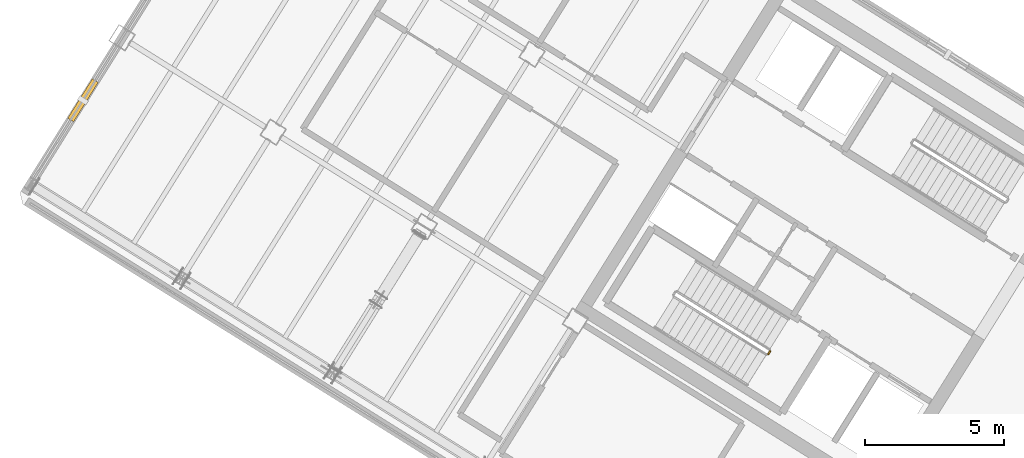
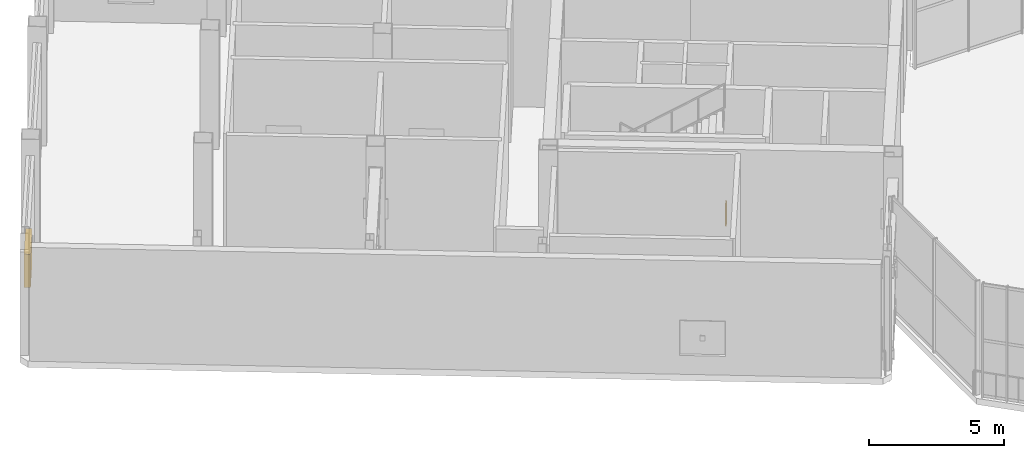
# One storey, part 26 of 32: 1 railing, 1 shading device.
"""IFC4 building model written with IfcOpenShell, lengths in metres."""

import ifcopenshell
import ifcopenshell.guid

model = None  # the IFC model being written
_history = None  # IfcOwnerHistory: only IFC2X3 demands one
_inside = {}  # id of a spatial element -> (the spatial element, [elements in it])
_under = {}  # id of a project, library or spatial element -> (it, [spatial elements below it])
_declared = {}  # id of a project -> (the project, [libraries it declares])
_typed = {}  # id of a type object -> (the type object, [elements of that type])
_made_of = {}  # id of a material, layer set ... -> (it, [elements and type objects made of it])


def new_model(schema):
    """Start an empty IFC model of exactly this schema.

    Asked for "IFC4X3", IfcOpenShell would pick the latest addendum, in which some entities
    have other attributes; the version numbers below select the first issue.
    IFC2X3 requires an IfcOwnerHistory on every rooted entity: one is made here for all.
    """
    global model, _history
    if schema == "IFC4X3":
        model = ifcopenshell.file(schema_version=(4, 3, 0, 0))
    else:
        model = ifcopenshell.file(schema=schema)
    _inside.clear()
    _under.clear()
    _declared.clear()
    _typed.clear()
    _made_of.clear()
    _history = None
    if model.schema == "IFC2X3":
        org = make("IfcOrganization", Name="unknown")
        user = make(
            "IfcPersonAndOrganization",
            ThePerson=make("IfcPerson", FamilyName="unknown"),
            TheOrganization=org,
        )
        app = make(
            "IfcApplication",
            ApplicationDeveloper=org,
            Version="unknown",
            ApplicationFullName="unknown",
            ApplicationIdentifier="unknown",
        )
        _history = make(
            "IfcOwnerHistory",
            OwningUser=user,
            OwningApplication=app,
            ChangeAction="ADDED",
            CreationDate=0,
        )
    return model


def make(cls, **values):
    """One entity of the class cls with the attributes given. An attribute that is None is left unset."""
    return model.create_entity(
        cls, **{name: value for name, value in values.items() if value is not None}
    )


def rooted(cls, **values):
    """An entity with a GlobalId (a new one), such as an element, a storey or a relation."""
    return make(cls, GlobalId=ifcopenshell.guid.new(), OwnerHistory=_history, **values)


def si_unit(unit_type, name, prefix=None):
    """IfcSIUnit, for example si_unit("LENGTHUNIT", "METRE", prefix="MILLI")."""
    return make("IfcSIUnit", UnitType=unit_type, Prefix=prefix, Name=name)


def assignment(units):
    """IfcUnitAssignment: the units of a project."""
    return None if units is None else make("IfcUnitAssignment", Units=units)


def point(xyz):
    """IfcCartesianPoint."""
    return None if xyz is None else make("IfcCartesianPoint", Coordinates=xyz)


def direction(xyz):
    """IfcDirection."""
    return None if xyz is None else make("IfcDirection", DirectionRatios=xyz)


def frame(location, z_axis=None, x_axis=None):
    """IfcAxis2Placement3D, a coordinate frame: its origin and axes. An axis left out is left unset."""
    return make(
        "IfcAxis2Placement3D",
        Location=point(location),
        Axis=direction(z_axis),
        RefDirection=direction(x_axis),
    )


def frame_2d(location, x_axis=None):
    """IfcAxis2Placement2D, a coordinate frame in the plane: its origin and x axis."""
    return make(
        "IfcAxis2Placement2D", Location=point(location), RefDirection=direction(x_axis)
    )


def origin():
    """The frame at (0, 0, 0) with its axes left unset."""
    return frame((0.0, 0.0, 0.0))


def origin_2d():
    """The frame at (0, 0) in the plane with its x axis left unset."""
    return frame_2d((0.0, 0.0))


def place(relative_to, where):
    """IfcLocalPlacement: puts the frame where relative to a parent placement (None: the world)."""
    return make(
        "IfcLocalPlacement", PlacementRelTo=relative_to, RelativePlacement=where
    )


def context(
    kind, dimensions, precision=None, world=None, true_north=None, identifier=None
):
    """IfcGeometricRepresentationContext, for example the 3D "Model" context."""
    return make(
        "IfcGeometricRepresentationContext",
        ContextIdentifier=identifier,
        ContextType=kind,
        CoordinateSpaceDimension=dimensions,
        Precision=precision,
        WorldCoordinateSystem=world,
        TrueNorth=true_north,
    )


def subcontext(parent, identifier, kind, view, scale=None):
    """IfcGeometricRepresentationSubContext, for example "Body" below "Model"."""
    return make(
        "IfcGeometricRepresentationSubContext",
        ContextIdentifier=identifier,
        ContextType=kind,
        ParentContext=parent,
        TargetScale=scale,
        TargetView=view,
    )


def project(units=None, contexts=None):
    """IfcProject with its units and contexts."""
    return rooted(
        "IfcProject",
        Name="project",
        RepresentationContexts=contexts,
        UnitsInContext=assignment(units),
    )


def spatial(cls, under=None, at=None, **own):
    """A site, building, storey or space (cls), placed at a placement, below another one or the project."""
    s = rooted(cls, ObjectPlacement=at, **own)
    if under is not None:
        _under.setdefault(under.id(), (under, []))[1].append(s)
    return s


def profile(cls, at=None, kind="AREA", **sizes):
    """A parametric profile (cls). Its sizes go by their IFC names, for example OverallWidth=200.0."""
    return make(cls, ProfileType=kind, Position=at, **sizes)


def rectangle(**sizes):
    """IfcRectangleProfileDef."""
    return profile("IfcRectangleProfileDef", **sizes)


def extrude(swept, where, along, depth):
    """IfcExtrudedAreaSolid: the profile swept, set in the frame where, extruded along a direction by depth."""
    return make(
        "IfcExtrudedAreaSolid",
        SweptArea=swept,
        Position=where,
        ExtrudedDirection=direction(along),
        Depth=depth,
    )


def shape(context_of_items, identifier, shape_type, items):
    """IfcShapeRepresentation: the items that make up one representation, for example the "Body"."""
    return make(
        "IfcShapeRepresentation",
        ContextOfItems=context_of_items,
        RepresentationIdentifier=identifier,
        RepresentationType=shape_type,
        Items=items,
    )


def source(mapping_origin, context_of_items, identifier, shape_type, items):
    """IfcRepresentationMap: a shape defined once, which mapped items show again and again."""
    return make(
        "IfcRepresentationMap",
        MappingOrigin=mapping_origin,
        MappedRepresentation=shape(context_of_items, identifier, shape_type, items),
    )


def transform(
    local_origin,
    x_axis=None,
    y_axis=None,
    z_axis=None,
    scale=None,
    scale2=None,
    scale3=None,
    uniform=True,
):
    """IfcCartesianTransformationOperator3D, or its non-uniform kind. x_axis, y_axis, z_axis: its Axis1, 2, 3."""
    if uniform:
        return make(
            "IfcCartesianTransformationOperator3D",
            Axis1=direction(x_axis),
            Axis2=direction(y_axis),
            LocalOrigin=point(local_origin),
            Scale=scale,
            Axis3=direction(z_axis),
        )
    return make(
        "IfcCartesianTransformationOperator3DnonUniform",
        Axis1=direction(x_axis),
        Axis2=direction(y_axis),
        LocalOrigin=point(local_origin),
        Scale=scale,
        Axis3=direction(z_axis),
        Scale2=scale2,
        Scale3=scale3,
    )


def mapped(mapping_source, mapping_target):
    """IfcMappedItem: shows the shape of a source again, moved by a transform."""
    return make(
        "IfcMappedItem", MappingSource=mapping_source, MappingTarget=mapping_target
    )


def material(Name=None, Category=None):
    """IfcMaterial."""
    return make("IfcMaterial", Name=Name, Category=Category)


def made_of(thing, what):
    """Note that an element or type object is made of a material, layer set ...; save() writes the relation."""
    if what is not None:
        _made_of.setdefault(what.id(), (what, []))[1].append(thing)
    return thing


def type_object(cls, material=None, **own):
    """A type object (cls), such as IfcWallType, which elements share."""
    return made_of(rooted(cls, **own), material)


def element(
    cls,
    number,
    at=None,
    inside=None,
    cuts=None,
    type_object=None,
    material=None,
    context=None,
    identifier="Body",
    shape_type=None,
    held_by="IfcProductDefinitionShape",
    body=None,
    shapes=None,
    **own,
):
    """One element of the class cls, such as IfcWall. Its Tag is "e" and its number.

    at: its placement. inside: the storey or other place that contains it. cuts: it is an
    opening in that element (IfcRelVoidsElement). A single representation is given by context,
    identifier, shape_type and body (its items); several are given by shapes. held_by: the class
    of the entity that holds the representations. save() writes the other relations.
    """
    e = rooted(cls, Tag="e%d" % number, ObjectPlacement=at, **own)
    if body is not None:
        shapes = [shape(context, identifier, shape_type, body)]
    if shapes is not None:
        e.Representation = make(held_by, Representations=shapes)
    if inside is not None:
        _inside.setdefault(inside.id(), (inside, []))[1].append(e)
    if cuts is not None:
        rooted(
            "IfcRelVoidsElement", RelatingBuildingElement=cuts, RelatedOpeningElement=e
        )
    if type_object is not None:
        _typed.setdefault(type_object.id(), (type_object, []))[1].append(e)
    return made_of(e, material)


def aggregate(whole, parts):
    """IfcRelAggregates: a whole, such as a stair, and the parts it consists of."""
    return rooted("IfcRelAggregates", RelatingObject=whole, RelatedObjects=parts)


def save(model, path):
    """Write the relations noted so far, then the file.

    IfcRelAggregates (storeys below a building ...), IfcRelContainedInSpatialStructure (elements
    in a storey), IfcRelDefinesByType, IfcRelAssociatesMaterial and IfcRelDeclares: one each for
    every whole, place, type object, material and project.
    """
    for whole, parts in _under.values():
        aggregate(whole, parts)
    for where, things in _inside.values():
        rooted(
            "IfcRelContainedInSpatialStructure",
            RelatedElements=things,
            RelatingStructure=where,
        )
    for kind, things in _typed.values():
        rooted("IfcRelDefinesByType", RelatedObjects=things, RelatingType=kind)
    for what, things in _made_of.values():
        rooted("IfcRelAssociatesMaterial", RelatedObjects=things, RelatingMaterial=what)
    for by, libraries in _declared.values():
        rooted("IfcRelDeclares", RelatingContext=by, RelatedDefinitions=libraries)
    model.write(path)


model = new_model("IFC4")

# Units and contexts
model_context = context("Model", 3, precision=1e-05, world=origin(), true_north=direction((0.0, 1.0)))
body_context = subcontext(model_context, "Body", "Model", "MODEL_VIEW")
ifc_project = project(units=[si_unit("LENGTHUNIT", "METRE"), si_unit("AREAUNIT", "SQUARE_METRE"), si_unit("VOLUMEUNIT", "CUBIC_METRE"), si_unit("PLANEANGLEUNIT", "RADIAN"), si_unit("MASSUNIT", "GRAM", prefix="KILO")], contexts=[model_context])

# Site, building, storey
site_placement = place(None, origin())
site = spatial("IfcSite", under=ifc_project, at=site_placement, CompositionType="ELEMENT")
building_placement = place(site_placement, origin())
building = spatial("IfcBuilding", under=site, at=building_placement, Name="Tlacorven Tower", CompositionType="ELEMENT")
storey_placement = place(building_placement, frame((0.0, 0.0, 245.699951171875)))
storey = spatial("IfcBuildingStorey", under=building, at=storey_placement, Name="L62", CompositionType="ELEMENT", Elevation=245.699951171875)

# Shading device
ifc_material_1 = material(Name="Anodised bronze aluminium acoustic louvre", Category="aluminium")
shading_device_type = type_object("IfcShadingDeviceType", Name="SH-LVR-WND", PredefinedType="JALOUSIE", material=ifc_material_1)
shared_shape_1 = source(origin(), body_context, "Body", "SweptSolid", [
    extrude(rectangle(XDim=1.659912109375, YDim=0.25, at=origin_2d()), origin(), (0.0, 0.0, 1.0), 1.5),
])
shading_device_placement = place(storey_placement, frame((4.50439453125, 26.796875, 0.900146484375), z_axis=(0.0, 0.0, 1.0), x_axis=(0.529918940959, 0.84804829816, 0.0)))
element("IfcShadingDevice", 1, at=shading_device_placement, inside=storey, type_object=shading_device_type, Name="L62 Storm-Resistant Acoustic Louvre Bank 2.1", PredefinedType="JALOUSIE", context=body_context, shape_type="MappedRepresentation", body=[
    mapped(shared_shape_1, transform((0.0, 0.0, 0.0), scale=1.0)),
])

# Railing
ifc_material_2 = material(Name="Aluminium and painted steel balustrade", Category="steel")
railing_type = type_object("IfcRailingType", Name="RL-GRD-1100", PredefinedType="GUARDRAIL", material=ifc_material_2)
shared_shape_2 = source(origin(), body_context, "Body", "SweptSolid", [
    extrude(rectangle(XDim=0.048095703125, YDim=0.048095703125, at=origin_2d()), frame((0.0, 0.0, 1.076171875), z_axis=(-0.529084052582, -0.848569422795, 0.0), x_axis=(0.848569422795, -0.529084052582, 0.0)), (0.0, 0.0, 1.0), 0.119873046875),
    extrude(rectangle(XDim=0.0419921875, YDim=0.0419921875, at=origin_2d()), origin(), (0.0, 0.0, 1.0), 1.052001953125),
    extrude(rectangle(XDim=0.0419921875, YDim=0.0419921875, at=origin_2d()), frame((-0.0634765625, -0.101806640625, 0.0)), (0.0, 0.0, 1.0), 1.052001953125),
])
railing_placement = place(storey_placement, frame((29.176513671875, 17.782958984375, 0.0)))
element("IfcRailing", 2, at=railing_placement, inside=storey, type_object=railing_type, Name="L62 ST-W1 stair guard 4", PredefinedType="GUARDRAIL", context=body_context, shape_type="MappedRepresentation", body=[
    mapped(shared_shape_2, transform((0.0, 0.0, 0.0), scale=1.0)),
])

save(model, "model.ifc")
